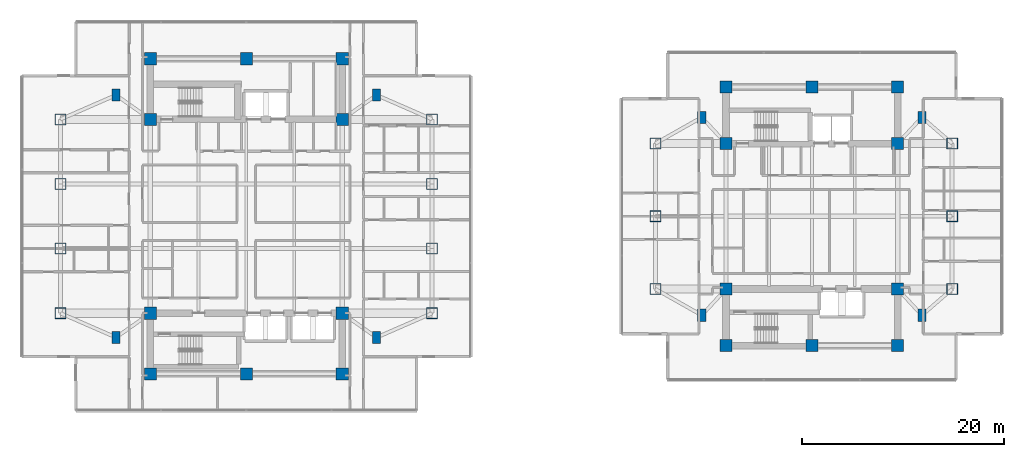
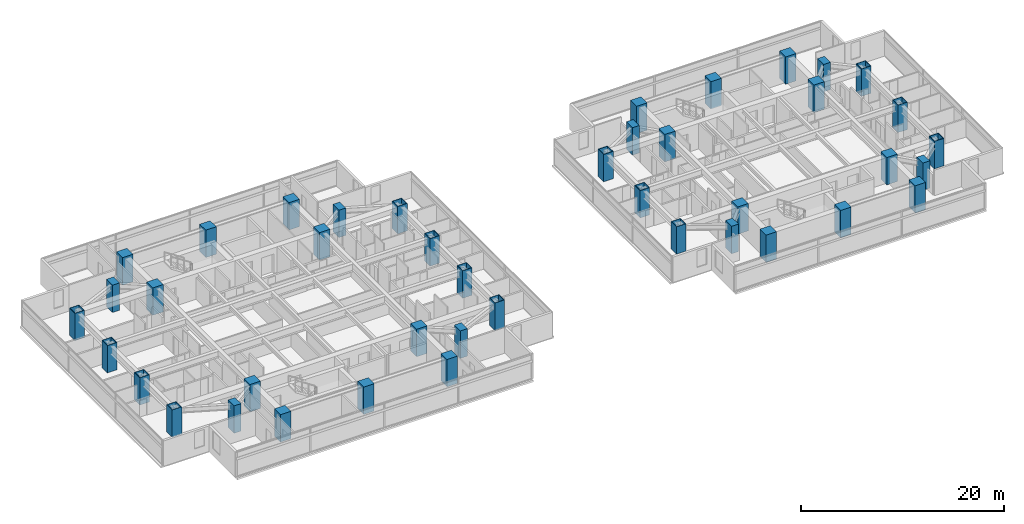
# One storey, part 1 of 25: 42 columns.
"""IFC4 building model written with IfcOpenShell, lengths in metres."""

import ifcopenshell
import ifcopenshell.guid

model = None  # the IFC model being written
_history = None  # IfcOwnerHistory: only IFC2X3 demands one
_inside = {}  # id of a spatial element -> (the spatial element, [elements in it])
_under = {}  # id of a project, library or spatial element -> (it, [spatial elements below it])
_declared = {}  # id of a project -> (the project, [libraries it declares])
_typed = {}  # id of a type object -> (the type object, [elements of that type])
_made_of = {}  # id of a material, layer set ... -> (it, [elements and type objects made of it])


def new_model(schema):
    """Start an empty IFC model of exactly this schema.

    Asked for "IFC4X3", IfcOpenShell would pick the latest addendum, in which some entities
    have other attributes; the version numbers below select the first issue.
    IFC2X3 requires an IfcOwnerHistory on every rooted entity: one is made here for all.
    """
    global model, _history
    if schema == "IFC4X3":
        model = ifcopenshell.file(schema_version=(4, 3, 0, 0))
    else:
        model = ifcopenshell.file(schema=schema)
    _inside.clear()
    _under.clear()
    _declared.clear()
    _typed.clear()
    _made_of.clear()
    _history = None
    if model.schema == "IFC2X3":
        org = make("IfcOrganization", Name="unknown")
        user = make(
            "IfcPersonAndOrganization",
            ThePerson=make("IfcPerson", FamilyName="unknown"),
            TheOrganization=org,
        )
        app = make(
            "IfcApplication",
            ApplicationDeveloper=org,
            Version="unknown",
            ApplicationFullName="unknown",
            ApplicationIdentifier="unknown",
        )
        _history = make(
            "IfcOwnerHistory",
            OwningUser=user,
            OwningApplication=app,
            ChangeAction="ADDED",
            CreationDate=0,
        )
    return model


def make(cls, **values):
    """One entity of the class cls with the attributes given. An attribute that is None is left unset."""
    return model.create_entity(
        cls, **{name: value for name, value in values.items() if value is not None}
    )


def rooted(cls, **values):
    """An entity with a GlobalId (a new one), such as an element, a storey or a relation."""
    return make(cls, GlobalId=ifcopenshell.guid.new(), OwnerHistory=_history, **values)


def si_unit(unit_type, name, prefix=None):
    """IfcSIUnit, for example si_unit("LENGTHUNIT", "METRE", prefix="MILLI")."""
    return make("IfcSIUnit", UnitType=unit_type, Prefix=prefix, Name=name)


def assignment(units):
    """IfcUnitAssignment: the units of a project."""
    return None if units is None else make("IfcUnitAssignment", Units=units)


def point(xyz):
    """IfcCartesianPoint."""
    return None if xyz is None else make("IfcCartesianPoint", Coordinates=xyz)


def direction(xyz):
    """IfcDirection."""
    return None if xyz is None else make("IfcDirection", DirectionRatios=xyz)


def frame(location, z_axis=None, x_axis=None):
    """IfcAxis2Placement3D, a coordinate frame: its origin and axes. An axis left out is left unset."""
    return make(
        "IfcAxis2Placement3D",
        Location=point(location),
        Axis=direction(z_axis),
        RefDirection=direction(x_axis),
    )


def frame_2d(location, x_axis=None):
    """IfcAxis2Placement2D, a coordinate frame in the plane: its origin and x axis."""
    return make(
        "IfcAxis2Placement2D", Location=point(location), RefDirection=direction(x_axis)
    )


def origin():
    """The frame at (0, 0, 0) with its axes left unset."""
    return frame((0.0, 0.0, 0.0))


def origin_2d():
    """The frame at (0, 0) in the plane with its x axis left unset."""
    return frame_2d((0.0, 0.0))


def place(relative_to, where):
    """IfcLocalPlacement: puts the frame where relative to a parent placement (None: the world)."""
    return make(
        "IfcLocalPlacement", PlacementRelTo=relative_to, RelativePlacement=where
    )


def context(
    kind, dimensions, precision=None, world=None, true_north=None, identifier=None
):
    """IfcGeometricRepresentationContext, for example the 3D "Model" context."""
    return make(
        "IfcGeometricRepresentationContext",
        ContextIdentifier=identifier,
        ContextType=kind,
        CoordinateSpaceDimension=dimensions,
        Precision=precision,
        WorldCoordinateSystem=world,
        TrueNorth=true_north,
    )


def subcontext(parent, identifier, kind, view, scale=None):
    """IfcGeometricRepresentationSubContext, for example "Body" below "Model"."""
    return make(
        "IfcGeometricRepresentationSubContext",
        ContextIdentifier=identifier,
        ContextType=kind,
        ParentContext=parent,
        TargetScale=scale,
        TargetView=view,
    )


def project(units=None, contexts=None):
    """IfcProject with its units and contexts."""
    return rooted(
        "IfcProject",
        Name="project",
        RepresentationContexts=contexts,
        UnitsInContext=assignment(units),
    )


def spatial(cls, under=None, at=None, **own):
    """A site, building, storey or space (cls), placed at a placement, below another one or the project."""
    s = rooted(cls, ObjectPlacement=at, **own)
    if under is not None:
        _under.setdefault(under.id(), (under, []))[1].append(s)
    return s


def profile(cls, at=None, kind="AREA", **sizes):
    """A parametric profile (cls). Its sizes go by their IFC names, for example OverallWidth=200.0."""
    return make(cls, ProfileType=kind, Position=at, **sizes)


def rectangle(**sizes):
    """IfcRectangleProfileDef."""
    return profile("IfcRectangleProfileDef", **sizes)


def hollow_rectangle(**sizes):
    """IfcRectangleHollowProfileDef."""
    return profile("IfcRectangleHollowProfileDef", **sizes)


def extrude(swept, where, along, depth):
    """IfcExtrudedAreaSolid: the profile swept, set in the frame where, extruded along a direction by depth."""
    return make(
        "IfcExtrudedAreaSolid",
        SweptArea=swept,
        Position=where,
        ExtrudedDirection=direction(along),
        Depth=depth,
    )


def shape(context_of_items, identifier, shape_type, items):
    """IfcShapeRepresentation: the items that make up one representation, for example the "Body"."""
    return make(
        "IfcShapeRepresentation",
        ContextOfItems=context_of_items,
        RepresentationIdentifier=identifier,
        RepresentationType=shape_type,
        Items=items,
    )


def material(Name=None, Category=None):
    """IfcMaterial."""
    return make("IfcMaterial", Name=Name, Category=Category)


def material_profile(
    of_material, cross_section, Name=None, Category=None, Priority=None
):
    """IfcMaterialProfile: a cross section and its material."""
    return make(
        "IfcMaterialProfile",
        Name=Name,
        Material=of_material,
        Profile=cross_section,
        Priority=Priority,
        Category=Category,
    )


def profile_set(profiles, Name=None, composite=None):
    """IfcMaterialProfileSet."""
    return make(
        "IfcMaterialProfileSet",
        Name=Name,
        MaterialProfiles=profiles,
        CompositeProfile=composite,
    )


def made_of(thing, what):
    """Note that an element or type object is made of a material, layer set ...; save() writes the relation."""
    if what is not None:
        _made_of.setdefault(what.id(), (what, []))[1].append(thing)
    return thing


def type_object(cls, material=None, **own):
    """A type object (cls), such as IfcWallType, which elements share."""
    return made_of(rooted(cls, **own), material)


def element(
    cls,
    number,
    at=None,
    inside=None,
    cuts=None,
    type_object=None,
    material=None,
    context=None,
    identifier="Body",
    shape_type=None,
    held_by="IfcProductDefinitionShape",
    body=None,
    shapes=None,
    **own,
):
    """One element of the class cls, such as IfcWall. Its Tag is "e" and its number.

    at: its placement. inside: the storey or other place that contains it. cuts: it is an
    opening in that element (IfcRelVoidsElement). A single representation is given by context,
    identifier, shape_type and body (its items); several are given by shapes. held_by: the class
    of the entity that holds the representations. save() writes the other relations.
    """
    e = rooted(cls, Tag="e%d" % number, ObjectPlacement=at, **own)
    if body is not None:
        shapes = [shape(context, identifier, shape_type, body)]
    if shapes is not None:
        e.Representation = make(held_by, Representations=shapes)
    if inside is not None:
        _inside.setdefault(inside.id(), (inside, []))[1].append(e)
    if cuts is not None:
        rooted(
            "IfcRelVoidsElement", RelatingBuildingElement=cuts, RelatedOpeningElement=e
        )
    if type_object is not None:
        _typed.setdefault(type_object.id(), (type_object, []))[1].append(e)
    return made_of(e, material)


def aggregate(whole, parts):
    """IfcRelAggregates: a whole, such as a stair, and the parts it consists of."""
    return rooted("IfcRelAggregates", RelatingObject=whole, RelatedObjects=parts)


def save(model, path):
    """Write the relations noted so far, then the file.

    IfcRelAggregates (storeys below a building ...), IfcRelContainedInSpatialStructure (elements
    in a storey), IfcRelDefinesByType, IfcRelAssociatesMaterial and IfcRelDeclares: one each for
    every whole, place, type object, material and project.
    """
    for whole, parts in _under.values():
        aggregate(whole, parts)
    for where, things in _inside.values():
        rooted(
            "IfcRelContainedInSpatialStructure",
            RelatedElements=things,
            RelatingStructure=where,
        )
    for kind, things in _typed.values():
        rooted("IfcRelDefinesByType", RelatedObjects=things, RelatingType=kind)
    for what, things in _made_of.values():
        rooted("IfcRelAssociatesMaterial", RelatedObjects=things, RelatingMaterial=what)
    for by, libraries in _declared.values():
        rooted("IfcRelDeclares", RelatingContext=by, RelatedDefinitions=libraries)
    model.write(path)


model = new_model("IFC4")

# Units and contexts
model_context = context("Model", 3, precision=1e-05, world=origin(), true_north=direction((0.0, 1.0)))
body_context = subcontext(model_context, "Body", "Model", "MODEL_VIEW")
ifc_project = project(units=[si_unit("LENGTHUNIT", "METRE"), si_unit("AREAUNIT", "SQUARE_METRE"), si_unit("VOLUMEUNIT", "CUBIC_METRE"), si_unit("PLANEANGLEUNIT", "RADIAN"), si_unit("MASSUNIT", "GRAM", prefix="KILO")], contexts=[model_context])

# Site, building, storey
site_placement = place(None, origin())
site = spatial("IfcSite", under=ifc_project, at=site_placement, CompositionType="ELEMENT")
building_placement = place(site_placement, origin())
building = spatial("IfcBuilding", under=site, at=building_placement, Name="Mirazonda Arch Towers", CompositionType="ELEMENT")
storey_placement = place(building_placement, frame((0.0, 0.0, 111.5)))
storey = spatial("IfcBuildingStorey", under=building, at=storey_placement, Name="L31", CompositionType="ELEMENT", Elevation=111.5)

# Columns
ifc_material_1 = material(Name="Concrete C50/60", Category="concrete")
ifc_material_profile_1 = material_profile(ifc_material_1, rectangle(XDim=1.199951171875, YDim=1.199951171875, at=origin_2d()), Name="RC1200x1200")
ifc_profile_set_1 = profile_set([ifc_material_profile_1], Name="Concrete C50/60")
column_type_1 = type_object("IfcColumnType", Name="COL-INT-RC1200x1200", PredefinedType="COLUMN", material=ifc_profile_set_1)
for number, where, z_axis, x_axis, name in (
    (1, (11.0, 12.39990234375, 0.0), (0.0, 0.0, 1.0), (1.0, 0.0, 0.0), "L31 T1 Core Column 01"),
    (2, (20.5, 12.39990234375, 0.0), (0.0, 0.0, 1.0), (1.0, 0.0, 0.0), "L31 T1 Core Column 02"),
    (3, (30.0, 12.39990234375, 0.0), (0.0, 0.0, 1.0), (1.0, 0.0, 0.0), "L31 T1 Core Column 03"),
    (4, (11.0, 18.39990234375, 0.0), (0.0, 0.0, 1.0), (1.0, 0.0, 0.0), "L31 T1 Core Column 04"),
    (5, (30.0, 18.39990234375, 0.0), (0.0, 0.0, 1.0), (1.0, 0.0, 0.0), "L31 T1 Core Column 05"),
    (6, (11.0, 37.60009765625, 0.0), (0.0, 0.0, 1.0), (1.0, 0.0, 0.0), "L31 T1 Core Column 06"),
    (7, (30.0, 37.60009765625, 0.0), (0.0, 0.0, 1.0), (1.0, 0.0, 0.0), "L31 T1 Core Column 07"),
    (8, (11.0, 43.60009765625, 0.0), (0.0, 0.0, 1.0), (1.0, 0.0, 0.0), "L31 T1 Core Column 08"),
    (9, (20.5, 43.60009765625, 0.0), (0.0, 0.0, 1.0), (1.0, 0.0, 0.0), "L31 T1 Core Column 09"),
    (10, (30.0, 43.60009765625, 0.0), (0.0, 0.0, 1.0), (1.0, 0.0, 0.0), "L31 T1 Core Column 10"),
    (11, (68.0, 15.199951171875, 0.0), (0.0, 0.0, 1.0), (1.0, 0.0, 0.0), "L31 T2 Core Column 01"),
    (12, (76.5, 15.199951171875, 0.0), (0.0, 0.0, 1.0), (1.0, 0.0, 0.0), "L31 T2 Core Column 02"),
    (13, (85.0, 15.199951171875, 0.0), (0.0, 0.0, 1.0), (1.0, 0.0, 0.0), "L31 T2 Core Column 03"),
    (14, (68.0, 20.800048828125, 0.0), (0.0, 0.0, 1.0), (1.0, 0.0, 0.0), "L31 T2 Core Column 04"),
    (15, (85.0, 20.800048828125, 0.0), (0.0, 0.0, 1.0), (1.0, 0.0, 0.0), "L31 T2 Core Column 05"),
    (16, (68.0, 35.199951171875, 0.0), (0.0, 0.0, 1.0), (1.0, 0.0, 0.0), "L31 T2 Core Column 06"),
    (17, (85.0, 35.199951171875, 0.0), (0.0, 0.0, 1.0), (1.0, 0.0, 0.0), "L31 T2 Core Column 07"),
    (18, (68.0, 40.800048828125, 0.0), (0.0, 0.0, 1.0), (1.0, 0.0, 0.0), "L31 T2 Core Column 08"),
    (19, (76.5, 40.800048828125, 0.0), (0.0, 0.0, 1.0), (1.0, 0.0, 0.0), "L31 T2 Core Column 09"),
    (20, (85.0, 40.800048828125, 0.0), (0.0, 0.0, 1.0), (1.0, 0.0, 0.0), "L31 T2 Core Column 10"),
):
    element("IfcColumn", number, at=place(storey_placement, frame(where, z_axis=z_axis, x_axis=x_axis)), inside=storey, type_object=column_type_1, Name=name, PredefinedType="COLUMN", context=body_context, shape_type="SweptSolid", body=[
        extrude(rectangle(XDim=1.199951171875, YDim=1.199951171875, at=origin_2d()), origin(), (0.0, 0.0, 1.0), 3.300048828125),
    ])
ifc_material_2 = material(Name="Steel ASTM A572 Grade 50", Category="steel")
ifc_material_profile_2 = material_profile(ifc_material_2, hollow_rectangle(XDim=1.10009765625, YDim=1.10009765625, WallThickness=0.06005859375, at=origin_2d()), Name="BOX1100x1100x60")
ifc_profile_set_2 = profile_set([ifc_material_profile_2], Name="Steel ASTM A572 Grade 50")
column_type_2 = type_object("IfcColumnType", Name="MCOL-EXT-BOX1100x1100x60", PredefinedType="COLUMN", material=ifc_profile_set_2)
for number, where, z_axis, x_axis, name in (
    (21, (2.10009765625, 18.39990234375, 0.0), (0.0, 0.0, 1.0), (1.0, 0.0, 0.0), "L31 T1 Composite Mega-Column 01"),
    (22, (2.10009765625, 24.800048828125, 0.0), (0.0, 0.0, 1.0), (1.0, 0.0, 0.0), "L31 T1 Composite Mega-Column 02"),
    (23, (2.10009765625, 31.199951171875, 0.0), (0.0, 0.0, 1.0), (1.0, 0.0, 0.0), "L31 T1 Composite Mega-Column 03"),
    (24, (2.10009765625, 37.60009765625, 0.0), (0.0, 0.0, 1.0), (1.0, 0.0, 0.0), "L31 T1 Composite Mega-Column 04"),
    (25, (38.89990234375, 18.39990234375, 0.0), (0.0, 0.0, 1.0), (1.0, 0.0, 0.0), "L31 T1 Composite Mega-Column 05"),
    (26, (38.89990234375, 24.800048828125, 0.0), (0.0, 0.0, 1.0), (1.0, 0.0, 0.0), "L31 T1 Composite Mega-Column 06"),
    (27, (38.89990234375, 31.199951171875, 0.0), (0.0, 0.0, 1.0), (1.0, 0.0, 0.0), "L31 T1 Composite Mega-Column 07"),
    (28, (38.89990234375, 37.60009765625, 0.0), (0.0, 0.0, 1.0), (1.0, 0.0, 0.0), "L31 T1 Composite Mega-Column 08"),
    (29, (61.0, 20.800048828125, 0.0), (0.0, 0.0, 1.0), (1.0, 0.0, 0.0), "L31 T2 Composite Mega-Column 01"),
    (30, (61.0, 28.0, 0.0), (0.0, 0.0, 1.0), (1.0, 0.0, 0.0), "L31 T2 Composite Mega-Column 02"),
    (31, (61.0, 35.199951171875, 0.0), (0.0, 0.0, 1.0), (1.0, 0.0, 0.0), "L31 T2 Composite Mega-Column 03"),
    (32, (90.39990234375, 20.800048828125, 0.0), (0.0, 0.0, 1.0), (1.0, 0.0, 0.0), "L31 T2 Composite Mega-Column 04"),
    (33, (90.39990234375, 28.0, 0.0), (0.0, 0.0, 1.0), (1.0, 0.0, 0.0), "L31 T2 Composite Mega-Column 05"),
    (34, (90.39990234375, 35.199951171875, 0.0), (0.0, 0.0, 1.0), (1.0, 0.0, 0.0), "L31 T2 Composite Mega-Column 06"),
):
    element("IfcColumn", number, at=place(storey_placement, frame(where, z_axis=z_axis, x_axis=x_axis)), inside=storey, type_object=column_type_2, Name=name, PredefinedType="COLUMN", context=body_context, shape_type="SweptSolid", body=[
        extrude(hollow_rectangle(XDim=1.10009765625, YDim=1.10009765625, WallThickness=0.06005859375, at=origin_2d()), origin(), (0.0, 0.0, 1.0), 3.300048828125),
    ])
ifc_material_3 = material(Name="Concrete C60/75", Category="concrete")
ifc_material_profile_3 = material_profile(ifc_material_3, rectangle(XDim=0.800048828125, YDim=1.199951171875, at=origin_2d()), Name="RC1200x800")
ifc_profile_set_3 = profile_set([ifc_material_profile_3], Name="Concrete C60/75")
column_type_3 = type_object("IfcColumnType", Name="PIL-EXT-RC1200x800", PredefinedType="PILASTER", material=ifc_profile_set_3)
for number, where, z_axis, x_axis, name in (
    (35, (7.60009765625, 16.0, 0.0), (0.0, 0.0, 1.0), (1.0, 0.0, 0.0), "L31 T1 Corner Pilaster 01"),
    (36, (33.39990234375, 16.0, 0.0), (0.0, 0.0, 1.0), (1.0, 0.0, 0.0), "L31 T1 Corner Pilaster 02"),
    (37, (7.60009765625, 40.0, 0.0), (0.0, 0.0, 1.0), (1.0, 0.0, 0.0), "L31 T1 Corner Pilaster 03"),
    (38, (33.39990234375, 40.0, 0.0), (0.0, 0.0, 1.0), (1.0, 0.0, 0.0), "L31 T1 Corner Pilaster 04"),
    (39, (65.60009765625, 18.199951171875, 0.0), (0.0, 0.0, 1.0), (1.0, 0.0, 0.0), "L31 T2 Corner Pilaster 01"),
    (40, (87.39990234375, 18.199951171875, 0.0), (0.0, 0.0, 1.0), (1.0, 0.0, 0.0), "L31 T2 Corner Pilaster 02"),
    (41, (65.60009765625, 37.800048828125, 0.0), (0.0, 0.0, 1.0), (1.0, 0.0, 0.0), "L31 T2 Corner Pilaster 03"),
    (42, (87.39990234375, 37.800048828125, 0.0), (0.0, 0.0, 1.0), (1.0, 0.0, 0.0), "L31 T2 Corner Pilaster 04"),
):
    element("IfcColumn", number, at=place(storey_placement, frame(where, z_axis=z_axis, x_axis=x_axis)), inside=storey, type_object=column_type_3, Name=name, PredefinedType="PILASTER", context=body_context, shape_type="SweptSolid", body=[
        extrude(rectangle(XDim=0.800048828125, YDim=1.199951171875, at=origin_2d()), origin(), (0.0, 0.0, 1.0), 3.300048828125),
    ])

save(model, "model.ifc")
